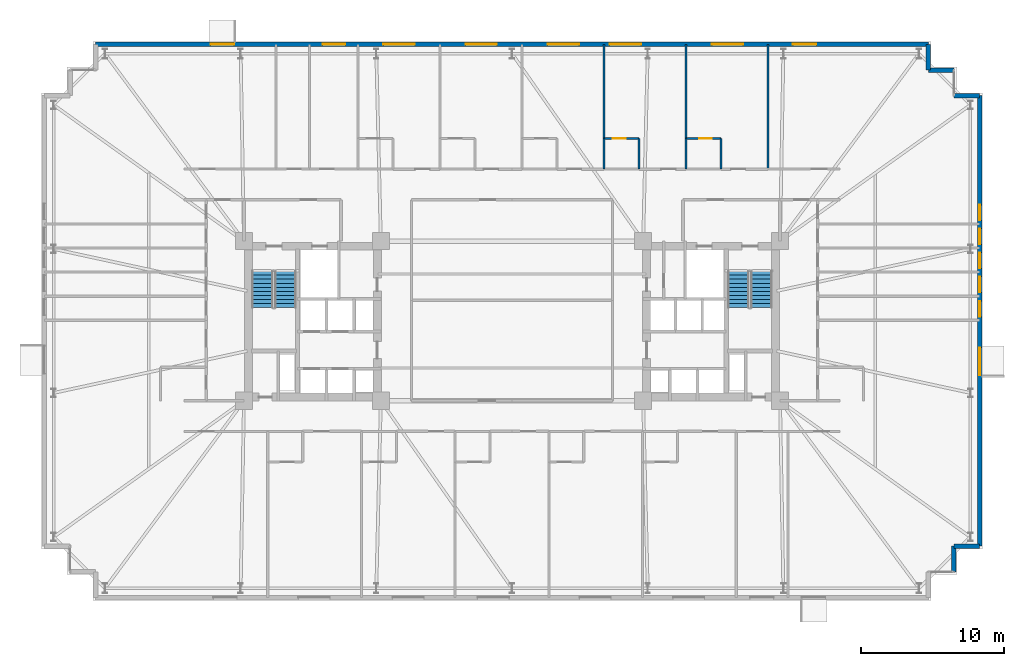
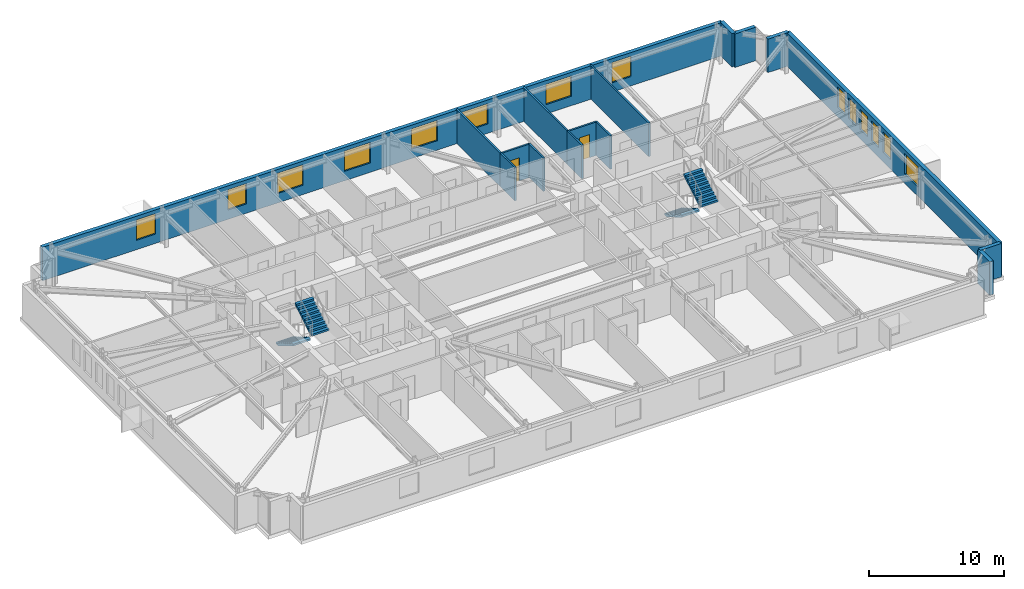
# One storey, part 19 of 21: 16 walls, 14 windows, 4 stair flights, 2 doors, 16 openings, 2 elements without a shape of their own.
"""IFC4 building model written with IfcOpenShell, lengths in metres."""

import ifcopenshell
import ifcopenshell.guid

model = None  # the IFC model being written
_history = None  # IfcOwnerHistory: only IFC2X3 demands one
_inside = {}  # id of a spatial element -> (the spatial element, [elements in it])
_under = {}  # id of a project, library or spatial element -> (it, [spatial elements below it])
_declared = {}  # id of a project -> (the project, [libraries it declares])
_typed = {}  # id of a type object -> (the type object, [elements of that type])
_made_of = {}  # id of a material, layer set ... -> (it, [elements and type objects made of it])


def new_model(schema):
    """Start an empty IFC model of exactly this schema.

    Asked for "IFC4X3", IfcOpenShell would pick the latest addendum, in which some entities
    have other attributes; the version numbers below select the first issue.
    IFC2X3 requires an IfcOwnerHistory on every rooted entity: one is made here for all.
    """
    global model, _history
    if schema == "IFC4X3":
        model = ifcopenshell.file(schema_version=(4, 3, 0, 0))
    else:
        model = ifcopenshell.file(schema=schema)
    _inside.clear()
    _under.clear()
    _declared.clear()
    _typed.clear()
    _made_of.clear()
    _history = None
    if model.schema == "IFC2X3":
        org = make("IfcOrganization", Name="unknown")
        user = make(
            "IfcPersonAndOrganization",
            ThePerson=make("IfcPerson", FamilyName="unknown"),
            TheOrganization=org,
        )
        app = make(
            "IfcApplication",
            ApplicationDeveloper=org,
            Version="unknown",
            ApplicationFullName="unknown",
            ApplicationIdentifier="unknown",
        )
        _history = make(
            "IfcOwnerHistory",
            OwningUser=user,
            OwningApplication=app,
            ChangeAction="ADDED",
            CreationDate=0,
        )
    return model


def make(cls, **values):
    """One entity of the class cls with the attributes given. An attribute that is None is left unset."""
    return model.create_entity(
        cls, **{name: value for name, value in values.items() if value is not None}
    )


def rooted(cls, **values):
    """An entity with a GlobalId (a new one), such as an element, a storey or a relation."""
    return make(cls, GlobalId=ifcopenshell.guid.new(), OwnerHistory=_history, **values)


def si_unit(unit_type, name, prefix=None):
    """IfcSIUnit, for example si_unit("LENGTHUNIT", "METRE", prefix="MILLI")."""
    return make("IfcSIUnit", UnitType=unit_type, Prefix=prefix, Name=name)


def assignment(units):
    """IfcUnitAssignment: the units of a project."""
    return None if units is None else make("IfcUnitAssignment", Units=units)


def point(xyz):
    """IfcCartesianPoint."""
    return None if xyz is None else make("IfcCartesianPoint", Coordinates=xyz)


def direction(xyz):
    """IfcDirection."""
    return None if xyz is None else make("IfcDirection", DirectionRatios=xyz)


def frame(location, z_axis=None, x_axis=None):
    """IfcAxis2Placement3D, a coordinate frame: its origin and axes. An axis left out is left unset."""
    return make(
        "IfcAxis2Placement3D",
        Location=point(location),
        Axis=direction(z_axis),
        RefDirection=direction(x_axis),
    )


def frame_2d(location, x_axis=None):
    """IfcAxis2Placement2D, a coordinate frame in the plane: its origin and x axis."""
    return make(
        "IfcAxis2Placement2D", Location=point(location), RefDirection=direction(x_axis)
    )


def origin():
    """The frame at (0, 0, 0) with its axes left unset."""
    return frame((0.0, 0.0, 0.0))


def place(relative_to, where):
    """IfcLocalPlacement: puts the frame where relative to a parent placement (None: the world)."""
    return make(
        "IfcLocalPlacement", PlacementRelTo=relative_to, RelativePlacement=where
    )


def context(
    kind, dimensions, precision=None, world=None, true_north=None, identifier=None
):
    """IfcGeometricRepresentationContext, for example the 3D "Model" context."""
    return make(
        "IfcGeometricRepresentationContext",
        ContextIdentifier=identifier,
        ContextType=kind,
        CoordinateSpaceDimension=dimensions,
        Precision=precision,
        WorldCoordinateSystem=world,
        TrueNorth=true_north,
    )


def subcontext(parent, identifier, kind, view, scale=None):
    """IfcGeometricRepresentationSubContext, for example "Body" below "Model"."""
    return make(
        "IfcGeometricRepresentationSubContext",
        ContextIdentifier=identifier,
        ContextType=kind,
        ParentContext=parent,
        TargetScale=scale,
        TargetView=view,
    )


def project(units=None, contexts=None):
    """IfcProject with its units and contexts."""
    return rooted(
        "IfcProject",
        Name="project",
        RepresentationContexts=contexts,
        UnitsInContext=assignment(units),
    )


def spatial(cls, under=None, at=None, **own):
    """A site, building, storey or space (cls), placed at a placement, below another one or the project."""
    s = rooted(cls, ObjectPlacement=at, **own)
    if under is not None:
        _under.setdefault(under.id(), (under, []))[1].append(s)
    return s


def polyline(points):
    """IfcPolyline through the points."""
    return make("IfcPolyline", Points=[point(p) for p in points])


def profile(cls, at=None, kind="AREA", **sizes):
    """A parametric profile (cls). Its sizes go by their IFC names, for example OverallWidth=200.0."""
    return make(cls, ProfileType=kind, Position=at, **sizes)


def rectangle(**sizes):
    """IfcRectangleProfileDef."""
    return profile("IfcRectangleProfileDef", **sizes)


def outline(outer, holes=None, kind="AREA"):
    """IfcArbitraryClosedProfileDef: a profile drawn as a closed curve; with holes, ...WithVoids."""
    if holes is None:
        return make("IfcArbitraryClosedProfileDef", ProfileType=kind, OuterCurve=outer)
    return make(
        "IfcArbitraryProfileDefWithVoids",
        ProfileType=kind,
        OuterCurve=outer,
        InnerCurves=holes,
    )


def extrude(swept, where, along, depth):
    """IfcExtrudedAreaSolid: the profile swept, set in the frame where, extruded along a direction by depth."""
    return make(
        "IfcExtrudedAreaSolid",
        SweptArea=swept,
        Position=where,
        ExtrudedDirection=direction(along),
        Depth=depth,
    )


def shape(context_of_items, identifier, shape_type, items):
    """IfcShapeRepresentation: the items that make up one representation, for example the "Body"."""
    return make(
        "IfcShapeRepresentation",
        ContextOfItems=context_of_items,
        RepresentationIdentifier=identifier,
        RepresentationType=shape_type,
        Items=items,
    )


def material(Name=None, Category=None):
    """IfcMaterial."""
    return make("IfcMaterial", Name=Name, Category=Category)


def layer(
    of_material, thickness, ventilated=None, Name=None, Category=None, Priority=None
):
    """IfcMaterialLayer: one layer of a wall or slab, of a material (None: an air gap)."""
    return make(
        "IfcMaterialLayer",
        Material=of_material,
        LayerThickness=thickness,
        IsVentilated=ventilated,
        Name=Name,
        Category=Category,
        Priority=Priority,
    )


def layer_set(layers, Name=None):
    """IfcMaterialLayerSet."""
    return make("IfcMaterialLayerSet", MaterialLayers=layers, LayerSetName=Name)


def made_of(thing, what):
    """Note that an element or type object is made of a material, layer set ...; save() writes the relation."""
    if what is not None:
        _made_of.setdefault(what.id(), (what, []))[1].append(thing)
    return thing


def type_object(cls, material=None, **own):
    """A type object (cls), such as IfcWallType, which elements share."""
    return made_of(rooted(cls, **own), material)


def element(
    cls,
    number,
    at=None,
    inside=None,
    cuts=None,
    type_object=None,
    material=None,
    context=None,
    identifier="Body",
    shape_type=None,
    held_by="IfcProductDefinitionShape",
    body=None,
    shapes=None,
    **own,
):
    """One element of the class cls, such as IfcWall. Its Tag is "e" and its number.

    at: its placement. inside: the storey or other place that contains it. cuts: it is an
    opening in that element (IfcRelVoidsElement). A single representation is given by context,
    identifier, shape_type and body (its items); several are given by shapes. held_by: the class
    of the entity that holds the representations. save() writes the other relations.
    """
    e = rooted(cls, Tag="e%d" % number, ObjectPlacement=at, **own)
    if body is not None:
        shapes = [shape(context, identifier, shape_type, body)]
    if shapes is not None:
        e.Representation = make(held_by, Representations=shapes)
    if inside is not None:
        _inside.setdefault(inside.id(), (inside, []))[1].append(e)
    if cuts is not None:
        rooted(
            "IfcRelVoidsElement", RelatingBuildingElement=cuts, RelatedOpeningElement=e
        )
    if type_object is not None:
        _typed.setdefault(type_object.id(), (type_object, []))[1].append(e)
    return made_of(e, material)


def fill(opening, filler):
    """IfcRelFillsElement: the door or window that sits in an opening."""
    return rooted(
        "IfcRelFillsElement",
        RelatingOpeningElement=opening,
        RelatedBuildingElement=filler,
    )


def aggregate(whole, parts):
    """IfcRelAggregates: a whole, such as a stair, and the parts it consists of."""
    return rooted("IfcRelAggregates", RelatingObject=whole, RelatedObjects=parts)


def save(model, path):
    """Write the relations noted so far, then the file.

    IfcRelAggregates (storeys below a building ...), IfcRelContainedInSpatialStructure (elements
    in a storey), IfcRelDefinesByType, IfcRelAssociatesMaterial and IfcRelDeclares: one each for
    every whole, place, type object, material and project.
    """
    for whole, parts in _under.values():
        aggregate(whole, parts)
    for where, things in _inside.values():
        rooted(
            "IfcRelContainedInSpatialStructure",
            RelatedElements=things,
            RelatingStructure=where,
        )
    for kind, things in _typed.values():
        rooted("IfcRelDefinesByType", RelatedObjects=things, RelatingType=kind)
    for what, things in _made_of.values():
        rooted("IfcRelAssociatesMaterial", RelatedObjects=things, RelatingMaterial=what)
    for by, libraries in _declared.values():
        rooted("IfcRelDeclares", RelatingContext=by, RelatedDefinitions=libraries)
    model.write(path)


model = new_model("IFC4")

# Units and contexts
model_context = context("Model", 3, precision=1e-05, world=origin(), true_north=direction((0.0, 1.0)))
body_context = subcontext(model_context, "Body", "Model", "MODEL_VIEW")
ifc_project = project(units=[si_unit("LENGTHUNIT", "METRE"), si_unit("AREAUNIT", "SQUARE_METRE"), si_unit("VOLUMEUNIT", "CUBIC_METRE"), si_unit("PLANEANGLEUNIT", "RADIAN"), si_unit("MASSUNIT", "GRAM", prefix="KILO")], contexts=[model_context])

# Site, building, storey
site_placement = place(None, origin())
site = spatial("IfcSite", under=ifc_project, at=site_placement, CompositionType="ELEMENT")
building_placement = place(site_placement, origin())
building = spatial("IfcBuilding", under=site, at=building_placement, Name="Qobustan Lattice House", CompositionType="ELEMENT")
storey_placement = place(building_placement, frame((0.0, 0.0, 57.14990234375)))
storey = spatial("IfcBuildingStorey", under=building, at=storey_placement, Name="L15", CompositionType="ELEMENT", Elevation=57.14990234375)

# Wall, openings, windows
ifc_material_1 = material(Name="Precast concrete C40/50", Category="concrete")
ifc_layer_1 = layer(ifc_material_1, 0.320068359375)
ifc_layer_set_1 = layer_set([ifc_layer_1], Name="Precast concrete C40/50")
wall_type_1 = type_object("IfcWallType", Name="WAL-EXT-STONE-320", PredefinedType="SOLIDWALL", material=ifc_layer_set_1)
wall_1_placement = place(storey_placement, frame((-29.199951171875, 19.39990234375, 0.0), z_axis=(0.0, 0.0, 1.0), x_axis=(1.0, 0.0, 0.0)))
wall_1 = element("IfcWall", 1, at=wall_1_placement, inside=storey, type_object=wall_type_1, Name="L15 exterior limestone-clad wall 10", PredefinedType="SOLIDWALL", context=body_context, shape_type="SweptSolid", body=[
    extrude(rectangle(XDim=58.39990234375, YDim=0.320068359375, at=frame_2d((29.199951171875, 0.0))), origin(), (0.0, 0.0, 1.0), 3.03515625),
])
opening_1_placement = place(wall_1_placement, frame((8.0654296875, 0.0, 0.85009765625)))
opening_1 = element("IfcOpeningElement", 2, at=opening_1_placement, cuts=wall_1, Name="Opening WN-09", PredefinedType="OPENING", context=body_context, shape_type="SweptSolid", body=[
    extrude(rectangle(XDim=1.64990234375, YDim=1.85009765625, at=frame_2d((0.824951171875, 0.925048828125))), frame((0.0, 0.169921875, 0.0), z_axis=(0.0, -1.0, 0.0), x_axis=(1.0, 0.0, 0.0)), (0.0, 0.0, 1.0), 0.340087890625),
])
opening_2_placement = place(wall_1_placement, frame((15.919921875, 0.0, 0.85009765625)))
opening_2 = element("IfcOpeningElement", 3, at=opening_2_placement, cuts=wall_1, Name="Opening WN-13", PredefinedType="OPENING", context=body_context, shape_type="SweptSolid", body=[
    extrude(rectangle(XDim=1.60009765625, YDim=1.85009765625, at=frame_2d((0.800048828125, 0.925048828125))), frame((0.0, 0.169921875, 0.0), z_axis=(0.0, -1.0, 0.0), x_axis=(1.0, 0.0, 0.0)), (0.0, 0.0, 1.0), 0.340087890625),
])
opening_3_placement = place(wall_1_placement, frame((20.179931640625, 0.0, 0.85009765625)))
opening_3 = element("IfcOpeningElement", 4, at=opening_3_placement, cuts=wall_1, Name="Opening WN-03", PredefinedType="OPENING", context=body_context, shape_type="SweptSolid", body=[
    extrude(rectangle(XDim=2.199951171875, YDim=1.85009765625, at=frame_2d((1.10009765625, 0.925048828125))), frame((0.0, 0.169921875, 0.0), z_axis=(0.0, -1.0, 0.0), x_axis=(1.0, 0.0, 0.0)), (0.0, 0.0, 1.0), 0.340087890625),
])
opening_4_placement = place(wall_1_placement, frame((25.93994140625, 0.0, 0.85009765625)))
opening_4 = element("IfcOpeningElement", 5, at=opening_4_placement, cuts=wall_1, Name="Opening WN-03", PredefinedType="OPENING", context=body_context, shape_type="SweptSolid", body=[
    extrude(rectangle(XDim=2.199951171875, YDim=1.85009765625, at=frame_2d((1.10009765625, 0.925048828125))), frame((0.0, 0.169921875, 0.0), z_axis=(0.0, -1.0, 0.0), x_axis=(1.0, 0.0, 0.0)), (0.0, 0.0, 1.0), 0.340087890625),
])
opening_5_placement = place(wall_1_placement, frame((31.699951171875, 0.0, 0.85009765625)))
opening_5 = element("IfcOpeningElement", 6, at=opening_5_placement, cuts=wall_1, Name="Opening WN-03", PredefinedType="OPENING", context=body_context, shape_type="SweptSolid", body=[
    extrude(rectangle(XDim=2.199951171875, YDim=1.85009765625, at=frame_2d((1.10009765625, 0.925048828125))), frame((0.0, 0.169921875, 0.0), z_axis=(0.0, -1.0, 0.0), x_axis=(1.0, 0.0, 0.0)), (0.0, 0.0, 1.0), 0.340087890625),
])
opening_6_placement = place(wall_1_placement, frame((36.055908203125, 0.0, 0.85009765625)))
opening_6 = element("IfcOpeningElement", 7, at=opening_6_placement, cuts=wall_1, Name="Opening WN-03", PredefinedType="OPENING", context=body_context, shape_type="SweptSolid", body=[
    extrude(rectangle(XDim=2.199951171875, YDim=1.85009765625, at=frame_2d((1.10009765625, 0.925048828125))), frame((0.0, 0.169921875, 0.0), z_axis=(0.0, -1.0, 0.0), x_axis=(1.0, 0.0, 0.0)), (0.0, 0.0, 1.0), 0.340087890625),
])
opening_7_placement = place(wall_1_placement, frame((43.219970703125, 0.0, 0.85009765625)))
opening_7 = element("IfcOpeningElement", 8, at=opening_7_placement, cuts=wall_1, Name="Opening WN-03", PredefinedType="OPENING", context=body_context, shape_type="SweptSolid", body=[
    extrude(rectangle(XDim=2.199951171875, YDim=1.85009765625, at=frame_2d((1.10009765625, 0.925048828125))), frame((0.0, 0.169921875, 0.0), z_axis=(0.0, -1.0, 0.0), x_axis=(1.0, 0.0, 0.0)), (0.0, 0.0, 1.0), 0.340087890625),
])
opening_8_placement = place(wall_1_placement, frame((48.89501953125, 0.0, 0.85009765625)))
opening_8 = element("IfcOpeningElement", 9, at=opening_8_placement, cuts=wall_1, Name="Opening WN-09", PredefinedType="OPENING", context=body_context, shape_type="SweptSolid", body=[
    extrude(rectangle(XDim=1.64990234375, YDim=1.85009765625, at=frame_2d((0.824951171875, 0.925048828125))), frame((0.0, 0.169921875, 0.0), z_axis=(0.0, -1.0, 0.0), x_axis=(1.0, 0.0, 0.0)), (0.0, 0.0, 1.0), 0.340087890625),
])
ifc_material_2 = material(Name="Double-glazed low-E aluminium window", Category="aluminium")
window_type_1 = type_object("IfcWindowType", Name="WIN-BED-1600x1850", PartitioningType="SINGLE_PANEL", PredefinedType="WINDOW", material=ifc_material_2)
window_1_placement = place(opening_2_placement, origin())
window_1 = element("IfcWindow", 10, at=window_1_placement, inside=storey, type_object=window_type_1, Name="L15 Laundry utility room window", OverallHeight=1.85009765625, OverallWidth=1.60009765625, PartitioningType="SINGLE_PANEL", PredefinedType="WINDOW", context=body_context, shape_type="SweptSolid", body=[
    extrude(rectangle(XDim=1.60009765625, YDim=1.85009765625, at=frame_2d((0.800048828125, 0.925048828125))), frame((0.0, 0.030029296875, 0.0), z_axis=(0.0, -1.0, 0.0), x_axis=(1.0, 0.0, 0.0)), (0.0, 0.0, 1.0), 0.06005859375),
])
fill(opening_2, window_1)
ifc_material_3 = material(Name="Double-glazed low-E aluminium window", Category="aluminium")
window_type_2 = type_object("IfcWindowType", Name="WIN-STU-1650x1850", PartitioningType="SINGLE_PANEL", PredefinedType="WINDOW", material=ifc_material_3)
window_2_placement = place(opening_1_placement, origin())
window_2 = element("IfcWindow", 11, at=window_2_placement, inside=storey, type_object=window_type_2, Name="L15 Focus study room N1 window", OverallHeight=1.85009765625, OverallWidth=1.64990234375, PartitioningType="SINGLE_PANEL", PredefinedType="WINDOW", context=body_context, shape_type="SweptSolid", body=[
    extrude(rectangle(XDim=1.64990234375, YDim=1.85009765625, at=frame_2d((0.824951171875, 0.925048828125))), frame((0.0, 0.030029296875, 0.0), z_axis=(0.0, -1.0, 0.0), x_axis=(1.0, 0.0, 0.0)), (0.0, 0.0, 1.0), 0.06005859375),
])
fill(opening_1, window_2)
window_3_placement = place(opening_8_placement, origin())
window_3 = element("IfcWindow", 12, at=window_3_placement, inside=storey, type_object=window_type_2, Name="L15 Focus study room N8 window", OverallHeight=1.85009765625, OverallWidth=1.64990234375, PartitioningType="SINGLE_PANEL", PredefinedType="WINDOW", context=body_context, shape_type="SweptSolid", body=[
    extrude(rectangle(XDim=1.64990234375, YDim=1.85009765625, at=frame_2d((0.824951171875, 0.925048828125))), frame((0.0, 0.030029296875, 0.0), z_axis=(0.0, -1.0, 0.0), x_axis=(1.0, 0.0, 0.0)), (0.0, 0.0, 1.0), 0.06005859375),
])
fill(opening_8, window_3)
ifc_material_4 = material(Name="Double-glazed low-E aluminium window", Category="aluminium")
window_type_3 = type_object("IfcWindowType", Name="WIN-WIDE-2200x1850", PartitioningType="SINGLE_PANEL", PredefinedType="WINDOW", material=ifc_material_4)
window_4_placement = place(opening_3_placement, origin())
window_4 = element("IfcWindow", 13, at=window_4_placement, inside=storey, type_object=window_type_3, Name="L15 Kitchenette and studio apartment L15-N3 window", OverallHeight=1.85009765625, OverallWidth=2.199951171875, PartitioningType="SINGLE_PANEL", PredefinedType="WINDOW", context=body_context, shape_type="SweptSolid", body=[
    extrude(rectangle(XDim=2.199951171875, YDim=1.85009765625, at=frame_2d((1.10009765625, 0.925048828125))), frame((0.0, 0.030029296875, 0.0), z_axis=(0.0, -1.0, 0.0), x_axis=(1.0, 0.0, 0.0)), (0.0, 0.0, 1.0), 0.06005859375),
])
fill(opening_3, window_4)
window_5_placement = place(opening_4_placement, origin())
window_5 = element("IfcWindow", 14, at=window_5_placement, inside=storey, type_object=window_type_3, Name="L15 Kitchenette and studio apartment L15-N4 window", OverallHeight=1.85009765625, OverallWidth=2.199951171875, PartitioningType="SINGLE_PANEL", PredefinedType="WINDOW", context=body_context, shape_type="SweptSolid", body=[
    extrude(rectangle(XDim=2.199951171875, YDim=1.85009765625, at=frame_2d((1.10009765625, 0.925048828125))), frame((0.0, 0.030029296875, 0.0), z_axis=(0.0, -1.0, 0.0), x_axis=(1.0, 0.0, 0.0)), (0.0, 0.0, 1.0), 0.06005859375),
])
fill(opening_4, window_5)
window_6_placement = place(opening_5_placement, origin())
window_6 = element("IfcWindow", 15, at=window_6_placement, inside=storey, type_object=window_type_3, Name="L15 Kitchenette and studio apartment L15-N5 window", OverallHeight=1.85009765625, OverallWidth=2.199951171875, PartitioningType="SINGLE_PANEL", PredefinedType="WINDOW", context=body_context, shape_type="SweptSolid", body=[
    extrude(rectangle(XDim=2.199951171875, YDim=1.85009765625, at=frame_2d((1.10009765625, 0.925048828125))), frame((0.0, 0.030029296875, 0.0), z_axis=(0.0, -1.0, 0.0), x_axis=(1.0, 0.0, 0.0)), (0.0, 0.0, 1.0), 0.06005859375),
])
fill(opening_5, window_6)
window_7_placement = place(opening_6_placement, origin())
window_7 = element("IfcWindow", 16, at=window_7_placement, inside=storey, type_object=window_type_3, Name="L15 Kitchenette and studio apartment L15-N6 window", OverallHeight=1.85009765625, OverallWidth=2.199951171875, PartitioningType="SINGLE_PANEL", PredefinedType="WINDOW", context=body_context, shape_type="SweptSolid", body=[
    extrude(rectangle(XDim=2.199951171875, YDim=1.85009765625, at=frame_2d((1.10009765625, 0.925048828125))), frame((0.0, 0.030029296875, 0.0), z_axis=(0.0, -1.0, 0.0), x_axis=(1.0, 0.0, 0.0)), (0.0, 0.0, 1.0), 0.06005859375),
])
fill(opening_6, window_7)
window_8_placement = place(opening_7_placement, origin())
window_8 = element("IfcWindow", 17, at=window_8_placement, inside=storey, type_object=window_type_3, Name="L15 Kitchenette and studio apartment L15-N7 window", OverallHeight=1.85009765625, OverallWidth=2.199951171875, PartitioningType="SINGLE_PANEL", PredefinedType="WINDOW", context=body_context, shape_type="SweptSolid", body=[
    extrude(rectangle(XDim=2.199951171875, YDim=1.85009765625, at=frame_2d((1.10009765625, 0.925048828125))), frame((0.0, 0.030029296875, 0.0), z_axis=(0.0, -1.0, 0.0), x_axis=(1.0, 0.0, 0.0)), (0.0, 0.0, 1.0), 0.06005859375),
])
fill(opening_7, window_8)

# Walls
wall_2_placement = place(storey_placement, frame((29.199951171875, 19.39990234375, 0.0), z_axis=(0.0, 0.0, 1.0), x_axis=(0.0, -1.0, 0.0)))
element("IfcWall", 18, at=wall_2_placement, inside=storey, type_object=wall_type_1, Name="L15 exterior limestone-clad wall 11", PredefinedType="SOLIDWALL", context=body_context, shape_type="SweptSolid", body=[
    extrude(rectangle(XDim=1.7998046875, YDim=0.320068359375, at=frame_2d((0.89990234375, 0.0))), origin(), (0.0, 0.0, 1.0), 3.03515625),
])
for number, where, z_axis, x_axis, name in (
    (19, (29.199951171875, 17.60009765625, 0.0), (0.0, 0.0, 1.0), (1.0, 0.0, 0.0), "L15 exterior limestone-clad wall 12"),
    (20, (31.0, 15.800048828125, 0.0), (0.0, 0.0, 1.0), (1.0, 0.0, 0.0), "L15 exterior limestone-clad wall 14"),
):
    element("IfcWall", number, at=place(storey_placement, frame(where, z_axis=z_axis, x_axis=x_axis)), inside=storey, type_object=wall_type_1, Name=name, PredefinedType="SOLIDWALL", context=body_context, shape_type="SweptSolid", body=[
        extrude(rectangle(XDim=1.800048828125, YDim=0.320068359375, at=frame_2d((0.89990234375, 0.0))), origin(), (0.0, 0.0, 1.0), 3.03515625),
    ])

# Wall, openings, windows
wall_3_placement = place(storey_placement, frame((32.800048828125, 15.800048828125, 0.0), z_axis=(0.0, 0.0, 1.0), x_axis=(0.0, -1.0, 0.0)))
wall_3 = element("IfcWall", 21, at=wall_3_placement, inside=storey, type_object=wall_type_1, Name="L15 exterior limestone-clad wall 15", PredefinedType="SOLIDWALL", context=body_context, shape_type="SweptSolid", body=[
    extrude(rectangle(XDim=31.60009765625, YDim=0.320068359375, at=frame_2d((15.800048828125, 0.0))), origin(), (0.0, 0.0, 1.0), 3.03515625),
])
opening_9_placement = place(wall_3_placement, frame((7.64990234375, 0.0, 0.85009765625)))
opening_9 = element("IfcOpeningElement", 22, at=opening_9_placement, cuts=wall_3, Name="Opening WN-04", PredefinedType="OPENING", context=body_context, shape_type="SweptSolid", body=[
    extrude(rectangle(XDim=1.10009765625, YDim=1.85009765625, at=frame_2d((0.550048828125, 0.925048828125))), frame((0.0, 0.169921875, 0.0), z_axis=(0.0, -1.0, 0.0), x_axis=(1.0, 0.0, 0.0)), (0.0, 0.0, 1.0), 0.340087890625),
])
opening_10_placement = place(wall_3_placement, frame((9.330078125, 0.0, 0.85009765625)))
opening_10 = element("IfcOpeningElement", 23, at=opening_10_placement, cuts=wall_3, Name="Opening WN-04", PredefinedType="OPENING", context=body_context, shape_type="SweptSolid", body=[
    extrude(rectangle(XDim=1.10009765625, YDim=1.85009765625, at=frame_2d((0.550048828125, 0.925048828125))), frame((0.0, 0.169921875, 0.0), z_axis=(0.0, -1.0, 0.0), x_axis=(1.0, 0.0, 0.0)), (0.0, 0.0, 1.0), 0.340087890625),
])
opening_11_placement = place(wall_3_placement, frame((11.010009765625, 0.0, 0.85009765625)))
opening_11 = element("IfcOpeningElement", 24, at=opening_11_placement, cuts=wall_3, Name="Opening WN-04", PredefinedType="OPENING", context=body_context, shape_type="SweptSolid", body=[
    extrude(rectangle(XDim=1.10009765625, YDim=1.85009765625, at=frame_2d((0.550048828125, 0.925048828125))), frame((0.0, 0.169921875, 0.0), z_axis=(0.0, -1.0, 0.0), x_axis=(1.0, 0.0, 0.0)), (0.0, 0.0, 1.0), 0.340087890625),
])
opening_12_placement = place(wall_3_placement, frame((12.68994140625, 0.0, 0.85009765625)))
opening_12 = element("IfcOpeningElement", 25, at=opening_12_placement, cuts=wall_3, Name="Opening WN-04", PredefinedType="OPENING", context=body_context, shape_type="SweptSolid", body=[
    extrude(rectangle(XDim=1.10009765625, YDim=1.85009765625, at=frame_2d((0.550048828125, 0.925048828125))), frame((0.0, 0.169921875, 0.0), z_axis=(0.0, -1.0, 0.0), x_axis=(1.0, 0.0, 0.0)), (0.0, 0.0, 1.0), 0.340087890625),
])
opening_13_placement = place(wall_3_placement, frame((14.409912109375, 0.0, 0.85009765625)))
opening_13 = element("IfcOpeningElement", 26, at=opening_13_placement, cuts=wall_3, Name="Opening WN-04", PredefinedType="OPENING", context=body_context, shape_type="SweptSolid", body=[
    extrude(rectangle(XDim=1.10009765625, YDim=1.85009765625, at=frame_2d((0.550048828125, 0.925048828125))), frame((0.0, 0.169921875, 0.0), z_axis=(0.0, -1.0, 0.0), x_axis=(1.0, 0.0, 0.0)), (0.0, 0.0, 1.0), 0.340087890625),
])
opening_14_placement = place(wall_3_placement, frame((17.6650390625, 0.0, 0.85009765625)))
opening_14 = element("IfcOpeningElement", 27, at=opening_14_placement, cuts=wall_3, Name="Opening WN-08", PredefinedType="OPENING", context=body_context, shape_type="SweptSolid", body=[
    extrude(rectangle(XDim=1.949951171875, YDim=1.85009765625, at=frame_2d((0.97509765625, 0.925048828125))), frame((0.0, 0.169921875, 0.0), z_axis=(0.0, -1.0, 0.0), x_axis=(1.0, 0.0, 0.0)), (0.0, 0.0, 1.0), 0.340087890625),
])
ifc_material_5 = material(Name="Double-glazed low-E aluminium window", Category="aluminium")
window_type_4 = type_object("IfcWindowType", Name="WIN-KIT-1950x1850", PartitioningType="SINGLE_PANEL", PredefinedType="WINDOW", material=ifc_material_5)
window_9_placement = place(opening_14_placement, origin())
window_9 = element("IfcWindow", 28, at=window_9_placement, inside=storey, type_object=window_type_4, Name="L15 Shared kitchen L15E window", OverallHeight=1.85009765625, OverallWidth=1.949951171875, PartitioningType="SINGLE_PANEL", PredefinedType="WINDOW", context=body_context, shape_type="SweptSolid", body=[
    extrude(rectangle(XDim=1.949951171875, YDim=1.85009765625, at=frame_2d((0.97509765625, 0.925048828125))), frame((0.0, 0.030029296875, 0.0), z_axis=(0.0, -1.0, 0.0), x_axis=(1.0, 0.0, 0.0)), (0.0, 0.0, 1.0), 0.06005859375),
])
fill(opening_14, window_9)
ifc_material_6 = material(Name="Double-glazed low-E aluminium window", Category="aluminium")
window_type_5 = type_object("IfcWindowType", Name="WIN-NAR-1100x1850", PartitioningType="SINGLE_PANEL", PredefinedType="WINDOW", material=ifc_material_6)
window_10_placement = place(opening_9_placement, origin())
window_10 = element("IfcWindow", 29, at=window_10_placement, inside=storey, type_object=window_type_5, Name="L15 Cluster bedroom L15E5 window", OverallHeight=1.85009765625, OverallWidth=1.10009765625, PartitioningType="SINGLE_PANEL", PredefinedType="WINDOW", context=body_context, shape_type="SweptSolid", body=[
    extrude(rectangle(XDim=1.10009765625, YDim=1.85009765625, at=frame_2d((0.550048828125, 0.925048828125))), frame((0.0, 0.030029296875, 0.0), z_axis=(0.0, -1.0, 0.0), x_axis=(1.0, 0.0, 0.0)), (0.0, 0.0, 1.0), 0.06005859375),
])
fill(opening_9, window_10)
window_11_placement = place(opening_10_placement, origin())
window_11 = element("IfcWindow", 30, at=window_11_placement, inside=storey, type_object=window_type_5, Name="L15 Cluster bedroom L15E4 window", OverallHeight=1.85009765625, OverallWidth=1.10009765625, PartitioningType="SINGLE_PANEL", PredefinedType="WINDOW", context=body_context, shape_type="SweptSolid", body=[
    extrude(rectangle(XDim=1.10009765625, YDim=1.85009765625, at=frame_2d((0.550048828125, 0.925048828125))), frame((0.0, 0.030029296875, 0.0), z_axis=(0.0, -1.0, 0.0), x_axis=(1.0, 0.0, 0.0)), (0.0, 0.0, 1.0), 0.06005859375),
])
fill(opening_10, window_11)
window_12_placement = place(opening_11_placement, origin())
window_12 = element("IfcWindow", 31, at=window_12_placement, inside=storey, type_object=window_type_5, Name="L15 Cluster bedroom L15E3 window", OverallHeight=1.85009765625, OverallWidth=1.10009765625, PartitioningType="SINGLE_PANEL", PredefinedType="WINDOW", context=body_context, shape_type="SweptSolid", body=[
    extrude(rectangle(XDim=1.10009765625, YDim=1.85009765625, at=frame_2d((0.550048828125, 0.925048828125))), frame((0.0, 0.030029296875, 0.0), z_axis=(0.0, -1.0, 0.0), x_axis=(1.0, 0.0, 0.0)), (0.0, 0.0, 1.0), 0.06005859375),
])
fill(opening_11, window_12)
window_13_placement = place(opening_12_placement, origin())
window_13 = element("IfcWindow", 32, at=window_13_placement, inside=storey, type_object=window_type_5, Name="L15 Cluster bedroom L15E2 window", OverallHeight=1.85009765625, OverallWidth=1.10009765625, PartitioningType="SINGLE_PANEL", PredefinedType="WINDOW", context=body_context, shape_type="SweptSolid", body=[
    extrude(rectangle(XDim=1.10009765625, YDim=1.85009765625, at=frame_2d((0.550048828125, 0.925048828125))), frame((0.0, 0.030029296875, 0.0), z_axis=(0.0, -1.0, 0.0), x_axis=(1.0, 0.0, 0.0)), (0.0, 0.0, 1.0), 0.06005859375),
])
fill(opening_12, window_13)
window_14_placement = place(opening_13_placement, origin())
window_14 = element("IfcWindow", 33, at=window_14_placement, inside=storey, type_object=window_type_5, Name="L15 Cluster bedroom L15E1 window", OverallHeight=1.85009765625, OverallWidth=1.10009765625, PartitioningType="SINGLE_PANEL", PredefinedType="WINDOW", context=body_context, shape_type="SweptSolid", body=[
    extrude(rectangle(XDim=1.10009765625, YDim=1.85009765625, at=frame_2d((0.550048828125, 0.925048828125))), frame((0.0, 0.030029296875, 0.0), z_axis=(0.0, -1.0, 0.0), x_axis=(1.0, 0.0, 0.0)), (0.0, 0.0, 1.0), 0.06005859375),
])
fill(opening_13, window_14)

# Walls
for number, where, z_axis, x_axis, name in (
    (34, (32.800048828125, -15.800048828125, 0.0), (0.0, 0.0, 1.0), (-1.0, 0.0, 0.0), "L15 exterior limestone-clad wall 16"),
    (35, (31.0, -15.800048828125, 0.0), (0.0, 0.0, 1.0), (0.0, -1.0, 0.0), "L15 exterior limestone-clad wall 17"),
):
    element("IfcWall", number, at=place(storey_placement, frame(where, z_axis=z_axis, x_axis=x_axis)), inside=storey, type_object=wall_type_1, Name=name, PredefinedType="SOLIDWALL", context=body_context, shape_type="SweptSolid", body=[
        extrude(rectangle(XDim=1.800048828125, YDim=0.320068359375, at=frame_2d((0.89990234375, 0.0))), origin(), (0.0, 0.0, 1.0), 3.03515625),
    ])
ifc_material_7 = material(Name="Acoustic twin-stud gypsum partition", Category="gypsum")
ifc_layer_2 = layer(ifc_material_7, 0.14990234375)
ifc_layer_set_2 = layer_set([ifc_layer_2], Name="Acoustic twin-stud gypsum partition")
wall_type_2 = type_object("IfcWallType", Name="WAL-PART-150", PredefinedType="PARTITIONING", material=ifc_layer_set_2)
for number, where, z_axis, x_axis, name in (
    (36, (6.449951171875, 19.39990234375, 0.0), (0.0, 0.0, 1.0), (0.0, -1.0, 0.0), "L15 interior partition 123"),
    (37, (12.199951171875, 19.39990234375, 0.0), (0.0, 0.0, 1.0), (0.0, -1.0, 0.0), "L15 interior partition 127"),
):
    element("IfcWall", number, at=place(storey_placement, frame(where, z_axis=z_axis, x_axis=x_axis)), inside=storey, type_object=wall_type_2, Name=name, PredefinedType="PARTITIONING", context=body_context, shape_type="SweptSolid", body=[
        extrude(rectangle(XDim=6.599853515625, YDim=0.14990234375, at=frame_2d((3.2998046875, 0.0))), origin(), (0.0, 0.0, 1.0), 3.03515625),
    ])
wall_4_placement = place(storey_placement, frame((17.949951171875, 19.39990234375, 0.0), z_axis=(0.0, 0.0, 1.0), x_axis=(0.0, -1.0, 0.0)))
element("IfcWall", 38, at=wall_4_placement, inside=storey, type_object=wall_type_2, Name="L15 interior partition 131", PredefinedType="PARTITIONING", context=body_context, shape_type="SweptSolid", body=[
    extrude(rectangle(XDim=8.75, YDim=0.14990234375, at=frame_2d((4.375, 0.0))), origin(), (0.0, 0.0, 1.0), 3.03515625),
])
ifc_material_8 = material(Name="Moisture-resistant acoustic plumbing wall", Category="gypsum")
ifc_layer_3 = layer(ifc_material_8, 0.14990234375)
ifc_layer_set_3 = layer_set([ifc_layer_3], Name="Moisture-resistant acoustic plumbing wall")
wall_type_3 = type_object("IfcWallType", Name="WAL-WET-150", PredefinedType="PLUMBINGWALL", material=ifc_layer_set_3)
wall_5_placement = place(storey_placement, frame((6.449951171875, 12.800048828125, 0.0), z_axis=(0.0, 0.0, 1.0), x_axis=(0.0, -1.0, 0.0)))
element("IfcWall", 39, at=wall_5_placement, inside=storey, type_object=wall_type_3, Name="L15 interior partition 124", PredefinedType="PLUMBINGWALL", context=body_context, shape_type="SweptSolid", body=[
    extrude(rectangle(XDim=2.150146484375, YDim=0.14990234375, at=frame_2d((1.0751953125, 0.0))), origin(), (0.0, 0.0, 1.0), 3.03515625),
])

# Wall, opening, door
wall_6_placement = place(storey_placement, frame((8.89990234375, 12.800048828125, 0.0), z_axis=(0.0, 0.0, 1.0), x_axis=(-1.0, 0.0, 0.0)))
wall_6 = element("IfcWall", 40, at=wall_6_placement, inside=storey, type_object=wall_type_3, Name="L15 interior partition 125", PredefinedType="PLUMBINGWALL", context=body_context, shape_type="SweptSolid", body=[
    extrude(rectangle(XDim=2.449951171875, YDim=0.14990234375, at=frame_2d((1.22509765625, 0.0))), origin(), (0.0, 0.0, 1.0), 3.03515625),
])
opening_15_placement = place(wall_6_placement, frame((0.92138671875, 0.0, 0.0)))
opening_15 = element("IfcOpeningElement", 41, at=opening_15_placement, cuts=wall_6, Name="Opening WD-01", PredefinedType="OPENING", context=body_context, shape_type="SweptSolid", body=[
    extrude(rectangle(XDim=0.89990234375, YDim=2.10009765625, at=frame_2d((0.449951171875, 1.050048828125))), frame((0.0, 0.0849609375, 0.0), z_axis=(0.0, -1.0, 0.0), x_axis=(1.0, 0.0, 0.0)), (0.0, 0.0, 1.0), 0.169921875),
])
ifc_material_9 = material(Name="Persian walnut timber and steel frame door", Category="steel")
door_type = type_object("IfcDoorType", Name="DOR-WET-900x2100", OperationType="NOTDEFINED", PredefinedType="DOOR", material=ifc_material_9)
door_1_placement = place(opening_15_placement, origin())
door_1 = element("IfcDoor", 42, at=door_1_placement, inside=storey, type_object=door_type, Name="L15 Kitchenette and studio apartment L15-N6 to En-suite bathroom L15-N6 door", OperationType="SINGLE_SWING_LEFT", OverallHeight=2.10009765625, OverallWidth=0.89990234375, PredefinedType="DOOR", context=body_context, shape_type="SweptSolid", body=[
    extrude(rectangle(XDim=0.89990234375, YDim=2.10009765625, at=frame_2d((0.449951171875, 1.050048828125))), frame((0.0, 0.02490234375, 0.0), z_axis=(0.0, -1.0, 0.0), x_axis=(1.0, 0.0, 0.0)), (0.0, 0.0, 1.0), 0.050048828125),
])
fill(opening_15, door_1)

# Walls
for number, where, z_axis, x_axis, name in (
    (43, (8.89990234375, 10.64990234375, 0.0), (0.0, 0.0, 1.0), (0.0, 1.0, 0.0), "L15 interior partition 126"),
    (44, (12.199951171875, 12.800048828125, 0.0), (0.0, 0.0, 1.0), (0.0, -1.0, 0.0), "L15 interior partition 128"),
):
    element("IfcWall", number, at=place(storey_placement, frame(where, z_axis=z_axis, x_axis=x_axis)), inside=storey, type_object=wall_type_3, Name=name, PredefinedType="PLUMBINGWALL", context=body_context, shape_type="SweptSolid", body=[
        extrude(rectangle(XDim=2.150146484375, YDim=0.14990234375, at=frame_2d((1.0751953125, 0.0))), origin(), (0.0, 0.0, 1.0), 3.03515625),
    ])

# Wall, opening, door
wall_7_placement = place(storey_placement, frame((14.64990234375, 12.800048828125, 0.0), z_axis=(0.0, 0.0, 1.0), x_axis=(-1.0, 0.0, 0.0)))
wall_7 = element("IfcWall", 45, at=wall_7_placement, inside=storey, type_object=wall_type_3, Name="L15 interior partition 129", PredefinedType="PLUMBINGWALL", context=body_context, shape_type="SweptSolid", body=[
    extrude(rectangle(XDim=2.449951171875, YDim=0.14990234375, at=frame_2d((1.22509765625, 0.0))), origin(), (0.0, 0.0, 1.0), 3.03515625),
])
opening_16_placement = place(wall_7_placement, frame((0.62890625, 0.0, 0.0)))
opening_16 = element("IfcOpeningElement", 46, at=opening_16_placement, cuts=wall_7, Name="Opening WD-01", PredefinedType="OPENING", context=body_context, shape_type="SweptSolid", body=[
    extrude(rectangle(XDim=0.89990234375, YDim=2.10009765625, at=frame_2d((0.449951171875, 1.050048828125))), frame((0.0, 0.0849609375, 0.0), z_axis=(0.0, -1.0, 0.0), x_axis=(1.0, 0.0, 0.0)), (0.0, 0.0, 1.0), 0.169921875),
])
door_2_placement = place(opening_16_placement, origin())
door_2 = element("IfcDoor", 47, at=door_2_placement, inside=storey, type_object=door_type, Name="L15 Kitchenette and studio apartment L15-N7 to En-suite bathroom L15-N7 door", OperationType="SINGLE_SWING_RIGHT", OverallHeight=2.10009765625, OverallWidth=0.89990234375, PredefinedType="DOOR", context=body_context, shape_type="SweptSolid", body=[
    extrude(rectangle(XDim=0.89990234375, YDim=2.10009765625, at=frame_2d((0.449951171875, 1.050048828125))), frame((0.0, 0.02490234375, 0.0), z_axis=(0.0, -1.0, 0.0), x_axis=(1.0, 0.0, 0.0)), (0.0, 0.0, 1.0), 0.050048828125),
])
fill(opening_16, door_2)

# Wall
wall_8_placement = place(storey_placement, frame((14.64990234375, 10.64990234375, 0.0), z_axis=(0.0, 0.0, 1.0), x_axis=(0.0, 1.0, 0.0)))
element("IfcWall", 48, at=wall_8_placement, inside=storey, type_object=wall_type_3, Name="L15 interior partition 130", PredefinedType="PLUMBINGWALL", context=body_context, shape_type="SweptSolid", body=[
    extrude(rectangle(XDim=2.150146484375, YDim=0.14990234375, at=frame_2d((1.0751953125, 0.0))), origin(), (0.0, 0.0, 1.0), 3.03515625),
])

# Stair, stair flights
ifc_material_10 = material(Name="Concrete C40/50", Category="concrete")
stair_type = type_object("IfcStairType", Name="STR-CORE-DOGLEG", PredefinedType="HALF_TURN_STAIR", material=ifc_material_10)
stair_1_placement = place(storey_placement, origin())
stair_1 = element("IfcStair", 49, at=stair_1_placement, inside=storey, type_object=stair_type, Name="L15 West protected exit stair ST-W1", PredefinedType="HALF_TURN_STAIR")
ifc_material_11 = material(Name="Concrete C40/50", Category="concrete")
stair_flight_type = type_object("IfcStairFlightType", Name="SFL-RC-1500", PredefinedType="STRAIGHT", material=ifc_material_11)
stair_flight_1_placement = place(storey_placement, frame((-17.5, 3.5, 0.0), z_axis=(0.0, 0.0, 1.0), x_axis=(0.0, -1.0, 0.0)))
stair_flight_1 = element("IfcStairFlight", 50, at=stair_flight_1_placement, type_object=stair_flight_type, Name="ST-W1 flight 1", NumberOfRisers=10, NumberOfTreads=9, PredefinedType="STRAIGHT", RiserHeight=0.1675, TreadLength=0.285, context=body_context, shape_type="SweptSolid", body=[
    extrude(outline(polyline([(0.0, 0.0), (0.0, 0.16748046875), (0.284912109375, 0.16748046875), (0.284912109375, 0.3349609375), (0.570068359375, 0.3349609375), (0.570068359375, 0.50244140625), (0.85498046875, 0.50244140625), (0.85498046875, 0.669921875), (1.139892578125, 0.669921875), (1.139892578125, 0.83740234375), (1.425048828125, 0.83740234375), (1.425048828125, 1.0048828125), (1.7099609375, 1.0048828125), (1.7099609375, 1.172607421875), (1.9951171875, 1.172607421875), (1.9951171875, 1.340087890625), (2.280029296875, 1.340087890625), (2.280029296875, 1.507568359375), (2.56494140625, 1.507568359375), (2.56494140625, 1.675048828125), (2.56494140625, 1.333740234375), (0.2958984375, 0.0), (0.0, 0.0)])), frame((0.0, 0.75, 0.0), z_axis=(0.0, -1.0, 0.0), x_axis=(1.0, 0.0, 0.0)), (0.0, 0.0, 1.0), 1.5),
])
stair_flight_2_placement = place(storey_placement, frame((-15.8798828125, 0.93505859375, 1.675048828125), z_axis=(0.0, 0.0, 1.0), x_axis=(0.0, 1.0, 0.0)))
stair_flight_2 = element("IfcStairFlight", 51, at=stair_flight_2_placement, type_object=stair_flight_type, Name="ST-W1 flight 2", NumberOfRisers=10, NumberOfTreads=9, PredefinedType="STRAIGHT", RiserHeight=0.1675, TreadLength=0.285, context=body_context, shape_type="SweptSolid", body=[
    extrude(outline(polyline([(0.0, 0.0), (0.0, 0.16748046875), (0.284912109375, 0.16748046875), (0.284912109375, 0.3349609375), (0.570068359375, 0.3349609375), (0.570068359375, 0.50244140625), (0.85498046875, 0.50244140625), (0.85498046875, 0.669921875), (1.139892578125, 0.669921875), (1.139892578125, 0.83740234375), (1.425048828125, 0.83740234375), (1.425048828125, 1.0048828125), (1.7099609375, 1.0048828125), (1.7099609375, 1.172607421875), (1.9951171875, 1.172607421875), (1.9951171875, 1.340087890625), (2.280029296875, 1.340087890625), (2.280029296875, 1.507568359375), (2.56494140625, 1.507568359375), (2.56494140625, 1.675048828125), (2.56494140625, 1.333740234375), (0.2958984375, 0.0), (0.0, 0.0)])), frame((0.0, 0.75, 0.0), z_axis=(0.0, -1.0, 0.0), x_axis=(1.0, 0.0, 0.0)), (0.0, 0.0, 1.0), 1.5),
])
aggregate(stair_1, [stair_flight_1, stair_flight_2])

stair_2_placement = place(storey_placement, origin())
stair_2 = element("IfcStair", 52, at=stair_2_placement, inside=storey, type_object=stair_type, Name="L15 East protected exit stair ST-E1", PredefinedType="HALF_TURN_STAIR")
stair_flight_3_placement = place(storey_placement, frame((15.8798828125, 3.5, 0.0), z_axis=(0.0, 0.0, 1.0), x_axis=(0.0, -1.0, 0.0)))
stair_flight_3 = element("IfcStairFlight", 53, at=stair_flight_3_placement, type_object=stair_flight_type, Name="ST-E1 flight 1", NumberOfRisers=10, NumberOfTreads=9, PredefinedType="STRAIGHT", RiserHeight=0.1675, TreadLength=0.285, context=body_context, shape_type="SweptSolid", body=[
    extrude(outline(polyline([(0.0, 0.0), (0.0, 0.16748046875), (0.284912109375, 0.16748046875), (0.284912109375, 0.3349609375), (0.570068359375, 0.3349609375), (0.570068359375, 0.50244140625), (0.85498046875, 0.50244140625), (0.85498046875, 0.669921875), (1.139892578125, 0.669921875), (1.139892578125, 0.83740234375), (1.425048828125, 0.83740234375), (1.425048828125, 1.0048828125), (1.7099609375, 1.0048828125), (1.7099609375, 1.172607421875), (1.9951171875, 1.172607421875), (1.9951171875, 1.340087890625), (2.280029296875, 1.340087890625), (2.280029296875, 1.507568359375), (2.56494140625, 1.507568359375), (2.56494140625, 1.675048828125), (2.56494140625, 1.333740234375), (0.2958984375, 0.0), (0.0, 0.0)])), frame((0.0, 0.75, 0.0), z_axis=(0.0, -1.0, 0.0), x_axis=(1.0, 0.0, 0.0)), (0.0, 0.0, 1.0), 1.5),
])
stair_flight_4_placement = place(storey_placement, frame((17.5, 0.93505859375, 1.675048828125), z_axis=(0.0, 0.0, 1.0), x_axis=(0.0, 1.0, 0.0)))
stair_flight_4 = element("IfcStairFlight", 54, at=stair_flight_4_placement, type_object=stair_flight_type, Name="ST-E1 flight 2", NumberOfRisers=10, NumberOfTreads=9, PredefinedType="STRAIGHT", RiserHeight=0.1675, TreadLength=0.285, context=body_context, shape_type="SweptSolid", body=[
    extrude(outline(polyline([(0.0, 0.0), (0.0, 0.16748046875), (0.284912109375, 0.16748046875), (0.284912109375, 0.3349609375), (0.570068359375, 0.3349609375), (0.570068359375, 0.50244140625), (0.85498046875, 0.50244140625), (0.85498046875, 0.669921875), (1.139892578125, 0.669921875), (1.139892578125, 0.83740234375), (1.425048828125, 0.83740234375), (1.425048828125, 1.0048828125), (1.7099609375, 1.0048828125), (1.7099609375, 1.172607421875), (1.9951171875, 1.172607421875), (1.9951171875, 1.340087890625), (2.280029296875, 1.340087890625), (2.280029296875, 1.507568359375), (2.56494140625, 1.507568359375), (2.56494140625, 1.675048828125), (2.56494140625, 1.333740234375), (0.2958984375, 0.0), (0.0, 0.0)])), frame((0.0, 0.75, 0.0), z_axis=(0.0, -1.0, 0.0), x_axis=(1.0, 0.0, 0.0)), (0.0, 0.0, 1.0), 1.5),
])
aggregate(stair_2, [stair_flight_3, stair_flight_4])

save(model, "model.ifc")
